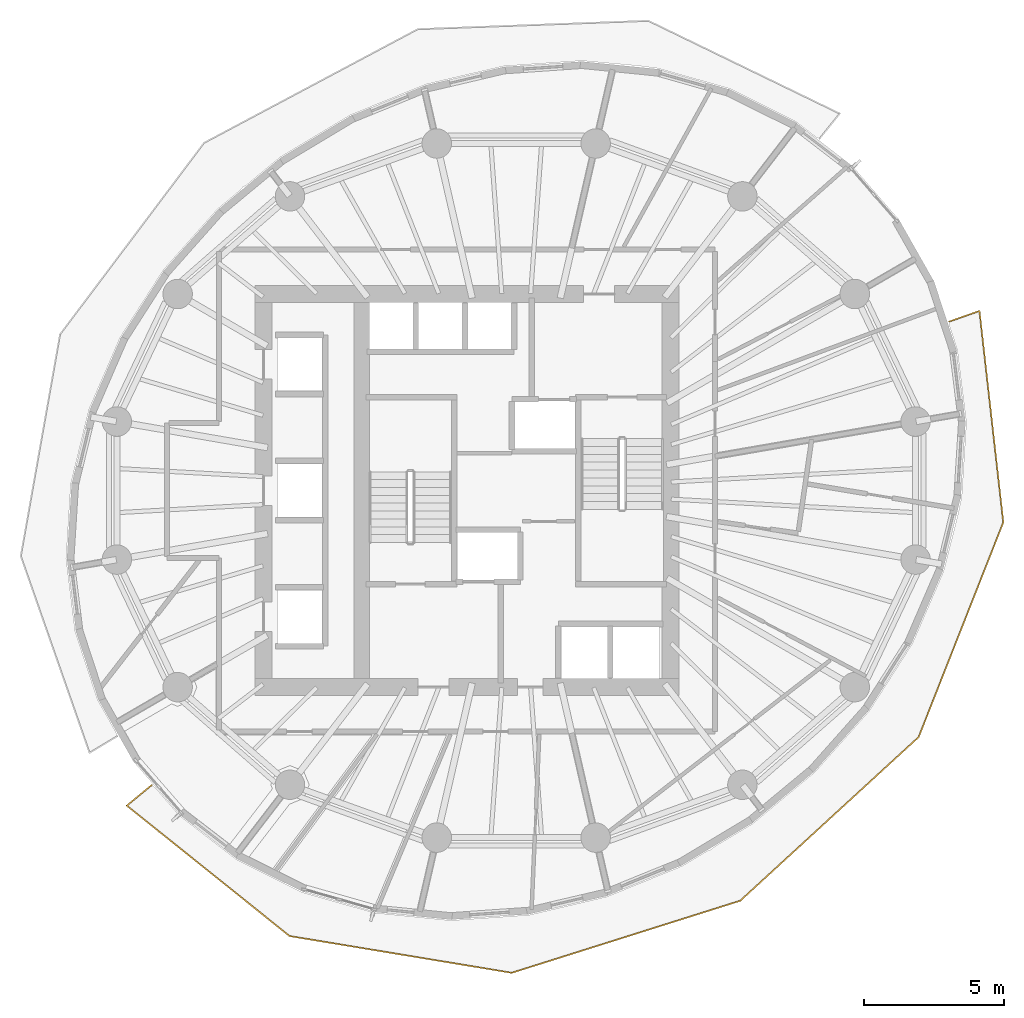
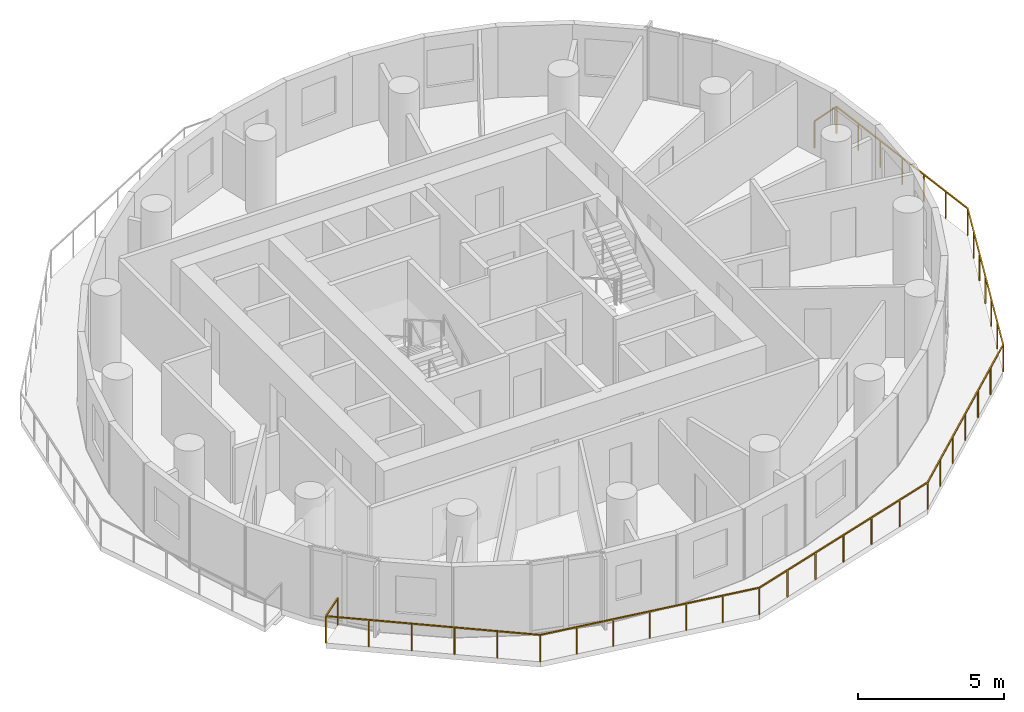
# One storey, part 9 of 12: 1 railing.
"""IFC4 building model written with IfcOpenShell, lengths in metres."""

from ifc_helpers import new_model, si_unit, direction, frame, origin, origin_2d, place, context, subcontext, project, spatial, rectangle, extrude, material, type_object, element, save


model = new_model("IFC4")

# Units and contexts
model_context = context("Model", 3, precision=1e-05, world=origin(), true_north=direction((0.0, 1.0)))
body_context = subcontext(model_context, "Body", "Model", "MODEL_VIEW")
ifc_project = project(units=[si_unit("LENGTHUNIT", "METRE"), si_unit("AREAUNIT", "SQUARE_METRE"), si_unit("VOLUMEUNIT", "CUBIC_METRE"), si_unit("PLANEANGLEUNIT", "RADIAN"), si_unit("MASSUNIT", "GRAM", prefix="KILO")], contexts=[model_context])

# Site, building, storey
site_placement = place(None, origin())
site = spatial("IfcSite", under=ifc_project, at=site_placement, CompositionType="ELEMENT")
building_placement = place(site_placement, origin())
building = spatial("IfcBuilding", under=site, at=building_placement, Name="Veldorim Arch Residences", CompositionType="ELEMENT")
storey_placement = place(building_placement, frame((0.0, 0.0, 148.9599609375)))
storey = spatial("IfcBuildingStorey", under=building, at=storey_placement, Name="L44", CompositionType="ELEMENT", Elevation=148.9599609375)

# Railing
ifc_material = material(Name="Aluminium", Category="aluminium")
railing_type = type_object("IfcRailingType", Name="Balcony & Terrace Laminated Glass Balustrade 1150", PredefinedType="BALUSTRADE", material=ifc_material)
railing_placement = place(storey_placement, frame((19.018310546875, 13.511962890625, 0.0)))
element("IfcRailing", 1, at=railing_placement, inside=storey, type_object=railing_type, Name="L44 crescent balcony safety balustrade B", PredefinedType="BALUSTRADE", context=body_context, shape_type="SweptSolid", body=[
    extrude(rectangle(XDim=0.048095703125, YDim=0.048095703125, at=origin_2d()), frame((0.0, 0.0, 1.1259765625), z_axis=(-0.771862825794, -0.635789098804, 0.0), x_axis=(0.635789098804, -0.771862825794, 0.0)), (0.0, 0.0, 1.0), 1.150146484375),
    extrude(rectangle(XDim=0.048095703125, YDim=0.048095703125, at=origin_2d()), frame((-0.8876953125, -0.731201171875, 1.1259765625), z_axis=(0.780352361535, -0.625340060964, 0.0), x_axis=(0.625340060964, 0.780352361535, 0.0)), (0.0, 0.0, 1.0), 7.42919921875),
    extrude(rectangle(XDim=0.048095703125, YDim=0.048095703125, at=origin_2d()), frame((4.90966796875, -5.376953125, 1.1259765625), z_axis=(0.986583319293, -0.163258549828, 0.0), x_axis=(0.163258549828, 0.986583319293, 0.0)), (0.0, 0.0, 1.0), 8.02001953125),
    extrude(rectangle(XDim=0.048095703125, YDim=0.048095703125, at=origin_2d()), frame((12.822021484375, -6.686279296875, 1.1259765625), z_axis=(0.953685518948, 0.300805470277, 0.0), x_axis=(-0.300805470277, 0.953685518948, 0.0)), (0.0, 0.0, 1.0), 8.533447265625),
    extrude(rectangle(XDim=0.048095703125, YDim=0.048095703125, at=origin_2d()), frame((20.960205078125, -4.119384765625, 1.1259765625), z_axis=(0.736834380594, 0.67607329157, 0.0), x_axis=(-0.67607329157, 0.736834380594, 0.0)), (0.0, 0.0, 1.0), 8.622802734375),
    extrude(rectangle(XDim=0.048095703125, YDim=0.048095703125, at=origin_2d()), frame((27.313720703125, 1.710205078125, 1.1259765625), z_axis=(0.366690452542, 0.930343007721, 0.0), x_axis=(-0.930343007721, 0.366690452542, 0.0)), (0.0, 0.0, 1.0), 8.220458984375),
    extrude(rectangle(XDim=0.048095703125, YDim=0.048095703125, at=origin_2d()), frame((30.328125, 9.358154296875, 1.1259765625), z_axis=(-0.11205134773, 0.993702417966, 0.0), x_axis=(-0.993702417966, -0.11205134773, 0.0)), (0.0, 0.0, 1.0), 7.57568359375),
    extrude(rectangle(XDim=0.048095703125, YDim=0.048095703125, at=origin_2d()), frame((29.479248046875, 16.88623046875, 1.1259765625), z_axis=(-0.94357671006, -0.331154030977, 0.0), x_axis=(0.331154030977, -0.94357671006, 0.0)), (0.0, 0.0, 1.0), 1.150146484375),
    extrude(rectangle(XDim=0.0419921875, YDim=0.0419921875, at=origin_2d()), origin(), (0.0, 0.0, 1.0), 1.101806640625),
    extrude(rectangle(XDim=0.0419921875, YDim=0.0419921875, at=origin_2d()), frame((-0.8876953125, -0.731201171875, 0.0)), (0.0, 0.0, 1.0), 1.101806640625),
    extrude(rectangle(XDim=0.0419921875, YDim=0.0419921875, at=origin_2d()), frame((0.271728515625, -1.660400390625, 0.0)), (0.0, 0.0, 1.0), 1.101806640625),
    extrude(rectangle(XDim=0.0419921875, YDim=0.0419921875, at=origin_2d()), frame((1.43115234375, -2.589599609375, 0.0)), (0.0, 0.0, 1.0), 1.101806640625),
    extrude(rectangle(XDim=0.0419921875, YDim=0.0419921875, at=origin_2d()), frame((2.5908203125, -3.5185546875, 0.0)), (0.0, 0.0, 1.0), 1.101806640625),
    extrude(rectangle(XDim=0.0419921875, YDim=0.0419921875, at=origin_2d()), frame((3.750244140625, -4.44775390625, 0.0)), (0.0, 0.0, 1.0), 1.101806640625),
    extrude(rectangle(XDim=0.0419921875, YDim=0.0419921875, at=origin_2d()), frame((4.90966796875, -5.376953125, 0.0)), (0.0, 0.0, 1.0), 1.101806640625),
    extrude(rectangle(XDim=0.0419921875, YDim=0.0419921875, at=origin_2d()), frame((6.228515625, -5.59521484375, 0.0)), (0.0, 0.0, 1.0), 1.101806640625),
    extrude(rectangle(XDim=0.0419921875, YDim=0.0419921875, at=origin_2d()), frame((7.547119140625, -5.8134765625, 0.0)), (0.0, 0.0, 1.0), 1.101806640625),
    extrude(rectangle(XDim=0.0419921875, YDim=0.0419921875, at=origin_2d()), frame((8.86572265625, -6.03173828125, 0.0)), (0.0, 0.0, 1.0), 1.101806640625),
    extrude(rectangle(XDim=0.0419921875, YDim=0.0419921875, at=origin_2d()), frame((10.1845703125, -6.249755859375, 0.0)), (0.0, 0.0, 1.0), 1.101806640625),
    extrude(rectangle(XDim=0.0419921875, YDim=0.0419921875, at=origin_2d()), frame((11.50341796875, -6.468017578125, 0.0)), (0.0, 0.0, 1.0), 1.101806640625),
    extrude(rectangle(XDim=0.0419921875, YDim=0.0419921875, at=origin_2d()), frame((12.822021484375, -6.686279296875, 0.0)), (0.0, 0.0, 1.0), 1.101806640625),
    extrude(rectangle(XDim=0.0419921875, YDim=0.0419921875, at=origin_2d()), frame((14.178466796875, -6.258544921875, 0.0)), (0.0, 0.0, 1.0), 1.101806640625),
    extrude(rectangle(XDim=0.0419921875, YDim=0.0419921875, at=origin_2d()), frame((15.53466796875, -5.83056640625, 0.0)), (0.0, 0.0, 1.0), 1.101806640625),
    extrude(rectangle(XDim=0.0419921875, YDim=0.0419921875, at=origin_2d()), frame((16.89111328125, -5.40283203125, 0.0)), (0.0, 0.0, 1.0), 1.101806640625),
    extrude(rectangle(XDim=0.0419921875, YDim=0.0419921875, at=origin_2d()), frame((18.24755859375, -4.97509765625, 0.0)), (0.0, 0.0, 1.0), 1.101806640625),
    extrude(rectangle(XDim=0.0419921875, YDim=0.0419921875, at=origin_2d()), frame((19.603759765625, -4.547119140625, 0.0)), (0.0, 0.0, 1.0), 1.101806640625),
    extrude(rectangle(XDim=0.0419921875, YDim=0.0419921875, at=origin_2d()), frame((20.960205078125, -4.119384765625, 0.0)), (0.0, 0.0, 1.0), 1.101806640625),
    extrude(rectangle(XDim=0.0419921875, YDim=0.0419921875, at=origin_2d()), frame((22.01904296875, -3.147705078125, 0.0)), (0.0, 0.0, 1.0), 1.101806640625),
    extrude(rectangle(XDim=0.0419921875, YDim=0.0419921875, at=origin_2d()), frame((23.078125, -2.17626953125, 0.0)), (0.0, 0.0, 1.0), 1.101806640625),
    extrude(rectangle(XDim=0.0419921875, YDim=0.0419921875, at=origin_2d()), frame((24.136962890625, -1.20458984375, 0.0)), (0.0, 0.0, 1.0), 1.101806640625),
    extrude(rectangle(XDim=0.0419921875, YDim=0.0419921875, at=origin_2d()), frame((25.19580078125, -0.23291015625, 0.0)), (0.0, 0.0, 1.0), 1.101806640625),
    extrude(rectangle(XDim=0.0419921875, YDim=0.0419921875, at=origin_2d()), frame((26.2548828125, 0.738525390625, 0.0)), (0.0, 0.0, 1.0), 1.101806640625),
    extrude(rectangle(XDim=0.0419921875, YDim=0.0419921875, at=origin_2d()), frame((27.313720703125, 1.710205078125, 0.0)), (0.0, 0.0, 1.0), 1.101806640625),
    extrude(rectangle(XDim=0.0419921875, YDim=0.0419921875, at=origin_2d()), frame((27.816162109375, 2.98486328125, 0.0)), (0.0, 0.0, 1.0), 1.101806640625),
    extrude(rectangle(XDim=0.0419921875, YDim=0.0419921875, at=origin_2d()), frame((28.318603515625, 4.259521484375, 0.0)), (0.0, 0.0, 1.0), 1.101806640625),
    extrude(rectangle(XDim=0.0419921875, YDim=0.0419921875, at=origin_2d()), frame((28.82080078125, 5.5341796875, 0.0)), (0.0, 0.0, 1.0), 1.101806640625),
    extrude(rectangle(XDim=0.0419921875, YDim=0.0419921875, at=origin_2d()), frame((29.3232421875, 6.808837890625, 0.0)), (0.0, 0.0, 1.0), 1.101806640625),
    extrude(rectangle(XDim=0.0419921875, YDim=0.0419921875, at=origin_2d()), frame((29.82568359375, 8.08349609375, 0.0)), (0.0, 0.0, 1.0), 1.101806640625),
    extrude(rectangle(XDim=0.0419921875, YDim=0.0419921875, at=origin_2d()), frame((30.328125, 9.358154296875, 0.0)), (0.0, 0.0, 1.0), 1.101806640625),
    extrude(rectangle(XDim=0.0419921875, YDim=0.0419921875, at=origin_2d()), frame((30.1865234375, 10.61279296875, 0.0)), (0.0, 0.0, 1.0), 1.101806640625),
    extrude(rectangle(XDim=0.0419921875, YDim=0.0419921875, at=origin_2d()), frame((30.045166015625, 11.867431640625, 0.0)), (0.0, 0.0, 1.0), 1.101806640625),
    extrude(rectangle(XDim=0.0419921875, YDim=0.0419921875, at=origin_2d()), frame((29.90380859375, 13.1220703125, 0.0)), (0.0, 0.0, 1.0), 1.101806640625),
    extrude(rectangle(XDim=0.0419921875, YDim=0.0419921875, at=origin_2d()), frame((29.76220703125, 14.376953125, 0.0)), (0.0, 0.0, 1.0), 1.101806640625),
    extrude(rectangle(XDim=0.0419921875, YDim=0.0419921875, at=origin_2d()), frame((29.62060546875, 15.631591796875, 0.0)), (0.0, 0.0, 1.0), 1.101806640625),
    extrude(rectangle(XDim=0.0419921875, YDim=0.0419921875, at=origin_2d()), frame((29.479248046875, 16.88623046875, 0.0)), (0.0, 0.0, 1.0), 1.101806640625),
    extrude(rectangle(XDim=0.0419921875, YDim=0.0419921875, at=origin_2d()), frame((28.39404296875, 16.50537109375, 0.0)), (0.0, 0.0, 1.0), 1.101806640625),
])

save(model, "model.ifc")
